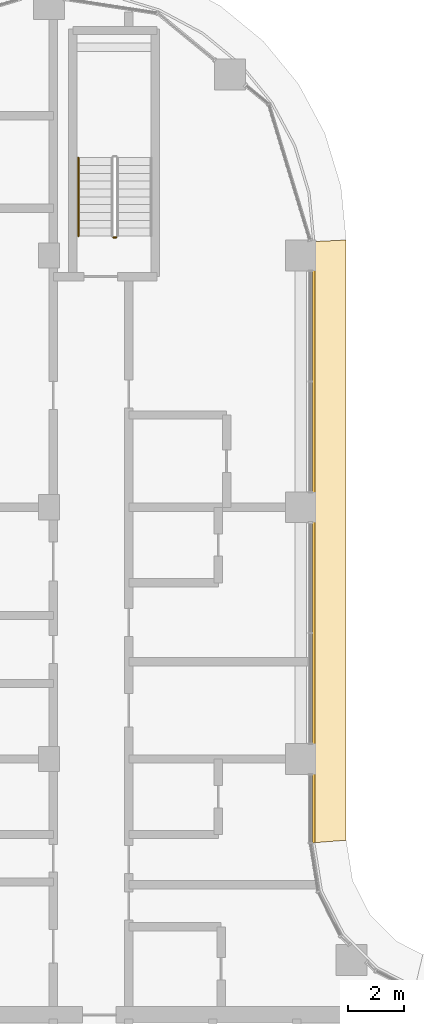
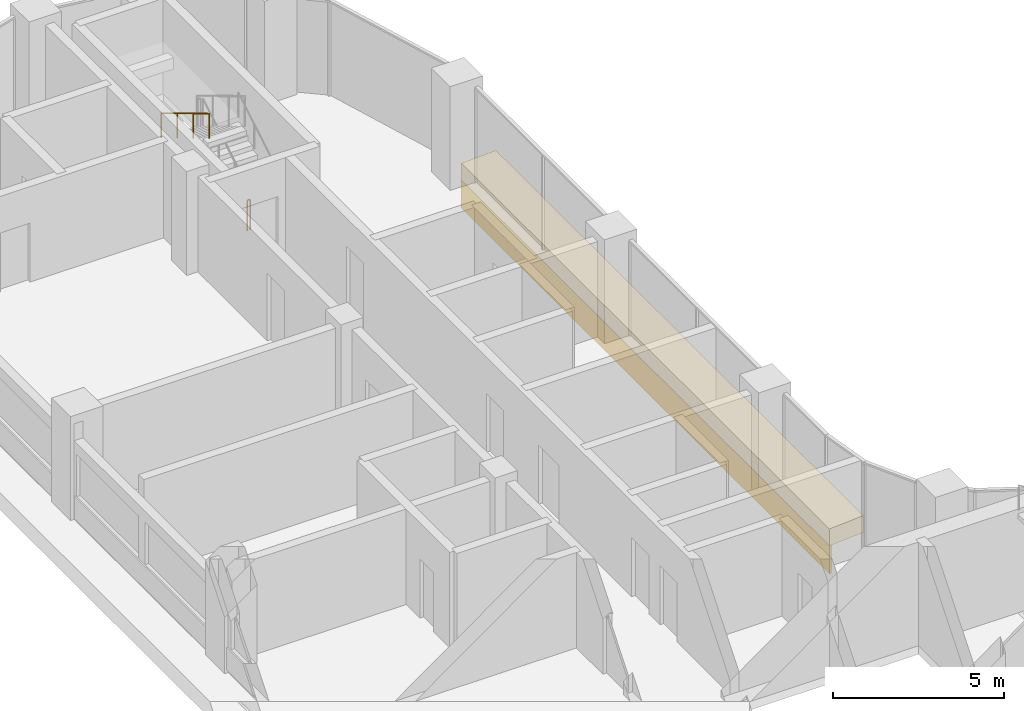
# One storey, part 22 of 24: 2 coverings, 2 railings.
"""IFC4 building model written with IfcOpenShell, lengths in metres."""

from ifc_helpers import new_model, si_unit, direction, frame, origin, origin_2d, place, context, subcontext, project, spatial, polyline, circle, outline, extrude, material, layer, layer_set, type_object, element, save


model = new_model("IFC4")

# Units and contexts
model_context = context("Model", 3, precision=1e-05, world=origin(), true_north=direction((0.0, 1.0)))
body_context = subcontext(model_context, "Body", "Model", "MODEL_VIEW")
ifc_project = project(units=[si_unit("LENGTHUNIT", "METRE"), si_unit("AREAUNIT", "SQUARE_METRE"), si_unit("VOLUMEUNIT", "CUBIC_METRE"), si_unit("PLANEANGLEUNIT", "RADIAN"), si_unit("MASSUNIT", "GRAM", prefix="KILO")], contexts=[model_context])

# Site, building, storey
site_placement = place(None, origin())
site = spatial("IfcSite", under=ifc_project, at=site_placement, CompositionType="ELEMENT")
building_placement = place(site_placement, origin())
building = spatial("IfcBuilding", under=site, at=building_placement, Name="Ogive Portal Towers", CompositionType="ELEMENT")
storey_placement = place(building_placement, frame((0.0, 0.0, 153.300048828125)))
storey = spatial("IfcBuildingStorey", under=building, at=storey_placement, Name="L37", CompositionType="ELEMENT", Elevation=153.300048828125)

# Railings
ifc_material_1 = material(Name="Stainless steel balustrade", Category="steel")
railing_type_1 = type_object("IfcRailingType", Name="INT-GUARD", PredefinedType="GUARDRAIL", material=ifc_material_1)
railing_1_placement = place(storey_placement, frame((42.89990234375, 67.14990234375, 0.0)))
element("IfcRailing", 1, at=railing_1_placement, inside=storey, type_object=railing_type_1, Name="L37 ST-A3 stair guard 4", PredefinedType="GUARDRAIL", context=body_context, shape_type="SweptSolid", body=[
    extrude(circle(Radius=0.02392578125, at=origin_2d()), frame((0.0, 0.0, 1.076171875), z_axis=(-1.0, 0.0, 0.0), x_axis=(0.0, -1.0, 0.0)), (0.0, 0.0, 1.0), 0.099853515625),
    extrude(circle(Radius=0.02099609375, at=origin_2d()), origin(), (0.0, 0.0, 1.0), 1.052001953125),
    extrude(circle(Radius=0.02099609375, at=origin_2d()), frame((-0.099853515625, 0.0, 0.0)), (0.0, 0.0, 1.0), 1.052001953125),
])
ifc_material_2 = material(Name="Stainless steel handrail", Category="steel")
railing_type_2 = type_object("IfcRailingType", Name="INT-HANDRAIL", PredefinedType="HANDRAIL", material=ifc_material_2)
railing_2_placement = place(storey_placement, frame((41.550048828125, 70.0, 2.01806640625)))
element("IfcRailing", 2, at=railing_2_placement, inside=storey, type_object=railing_type_2, Name="L37 ST-A3 stair handrail 2", PredefinedType="HANDRAIL", context=body_context, shape_type="SweptSolid", body=[
    extrude(circle(Radius=0.02392578125, at=origin_2d()), frame((0.0, 0.0, 0.8759765625), z_axis=(0.0, -0.857242210791, 0.514913383045), x_axis=(1.0, 0.0, 0.0)), (0.0, 0.0, 1.0), 3.266357421875),
    extrude(circle(Radius=0.02099609375, at=origin_2d()), origin(), (0.0, 0.0, 1.0), 0.851806640625),
    extrude(circle(Radius=0.02099609375, at=origin_2d()), frame((0.0, -0.933349609375, 0.560546875)), (0.0, 0.0, 1.0), 0.851806640625),
    extrude(circle(Radius=0.02099609375, at=origin_2d()), frame((0.0, -1.86669921875, 1.121337890625)), (0.0, 0.0, 1.0), 0.851806640625),
    extrude(circle(Radius=0.02099609375, at=origin_2d()), frame((0.0, -2.800048828125, 1.681884765625)), (0.0, 0.0, 1.0), 0.851806640625),
])

# Coverings
ifc_material_3 = material(Name="Limestone cladding on lightweight block wall", Category="masonry")
ifc_layer_1 = layer(ifc_material_3, 0.080078125)
ifc_layer_set_1 = layer_set([ifc_layer_1], Name="STONE SPANDREL 80")
covering_type_1 = type_object("IfcCoveringType", Name="STONE SPANDREL 80", PredefinedType="CLADDING", material=ifc_layer_set_1)
covering_1_placement = place(storey_placement, frame((0.0, 0.0, -1.60009765625)))
element("IfcCovering", 3, at=covering_1_placement, inside=storey, type_object=covering_type_1, Name="Stone spandrel A1-F04", PredefinedType="CLADDING", context=body_context, shape_type="SweptSolid", body=[
    extrude(outline(polyline([(49.925048828125, 45.5), (49.925048828125, 67.0), (50.0048828125, 67.00390625), (50.0048828125, 45.50634765625), (49.925048828125, 45.5)])), origin(), (0.0, 0.0, 1.0), 1.0),
])
ifc_layer_2 = layer(ifc_material_3, 0.60009765625)
ifc_layer_set_2 = layer_set([ifc_layer_2], Name="SUNSHADE LIP 600")
covering_type_2 = type_object("IfcCoveringType", Name="SUNSHADE LIP 600", PredefinedType="CLADDING", material=ifc_layer_set_2)
covering_2_placement = place(storey_placement, frame((0.0, 0.0, -0.60009765625)))
element("IfcCovering", 4, at=covering_2_placement, inside=storey, type_object=covering_type_2, Name="Sunshade lip A1-F04", PredefinedType="CLADDING", context=body_context, shape_type="SweptSolid", body=[
    extrude(outline(polyline([(49.925048828125, 45.5), (49.925048828125, 67.0), (51.125, 67.058837890625), (51.125, 45.594482421875), (49.925048828125, 45.5)])), origin(), (0.0, 0.0, 1.0), 0.60009765625),
])

save(model, "model.ifc")
